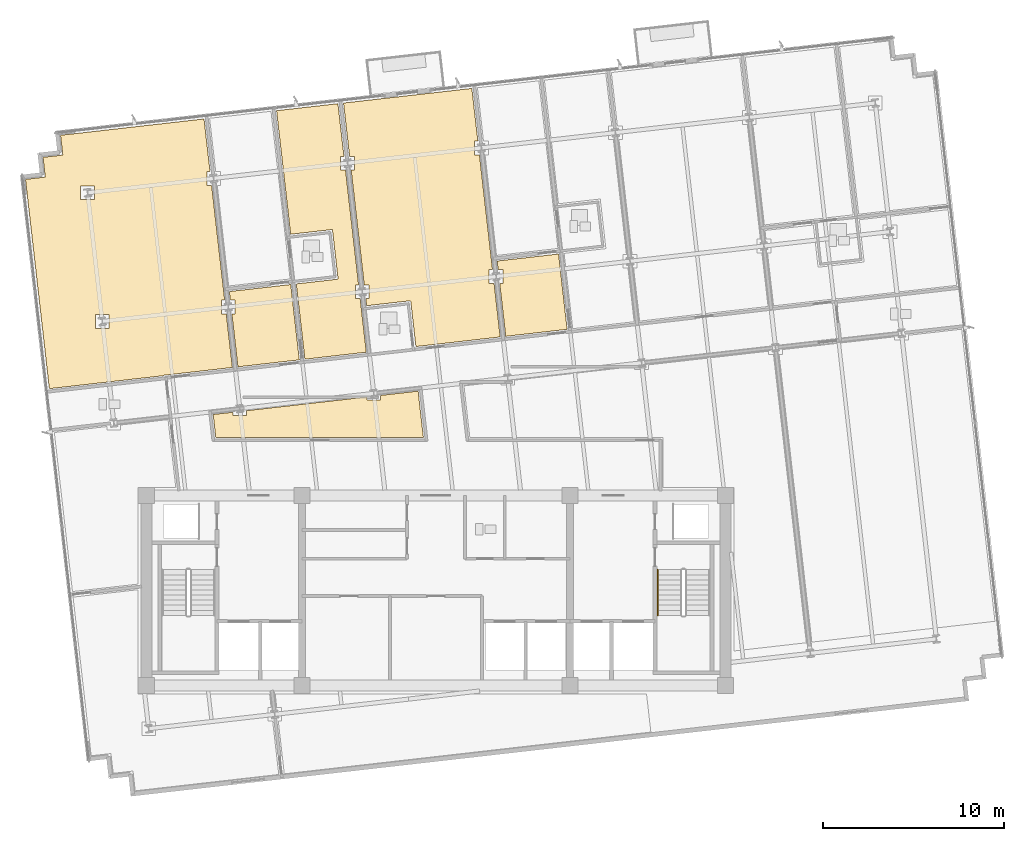
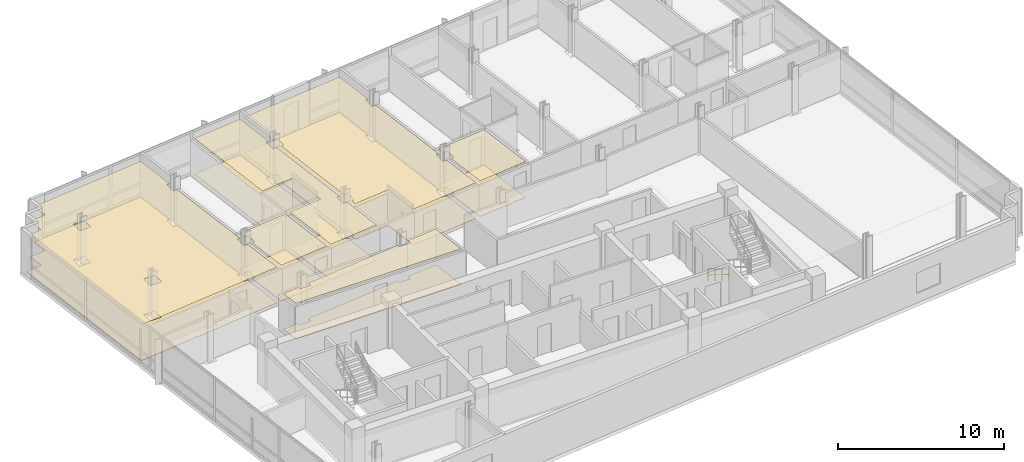
# One storey, part 13 of 16: 12 coverings, 1 railing.
"""IFC4 building model written with IfcOpenShell, lengths in metres."""

from ifc_helpers import new_model, si_unit, direction, frame, origin, origin_2d, place, context, subcontext, project, spatial, polyline, circle, outline, extrude, material, layer, layer_set, type_object, element, save


model = new_model("IFC4")

# Units and contexts
model_context = context("Model", 3, precision=1e-05, world=origin(), true_north=direction((0.0, 1.0)))
body_context = subcontext(model_context, "Body", "Model", "MODEL_VIEW")
ifc_project = project(units=[si_unit("LENGTHUNIT", "METRE"), si_unit("AREAUNIT", "SQUARE_METRE"), si_unit("VOLUMEUNIT", "CUBIC_METRE"), si_unit("PLANEANGLEUNIT", "RADIAN"), si_unit("MASSUNIT", "GRAM", prefix="KILO")], contexts=[model_context])

# Site, building, storey
site_placement = place(None, origin())
site = spatial("IfcSite", under=ifc_project, at=site_placement, CompositionType="ELEMENT")
building_placement = place(site_placement, origin())
building = spatial("IfcBuilding", under=site, at=building_placement, Name="Solmavex Isthmus Hotel", CompositionType="ELEMENT")
storey_placement = place(building_placement, frame((0.0, 0.0, 208.949951171875)))
storey = spatial("IfcBuildingStorey", under=building, at=storey_placement, Name="L56", CompositionType="ELEMENT", Elevation=208.949951171875)

# Coverings
ifc_material_1 = material(Name="Gypsum plasterboard lining", Category="gypsum")
ifc_layer_1 = layer(ifc_material_1, 0.030029296875)
ifc_layer_set_1 = layer_set([ifc_layer_1], Name="Gypsum plasterboard lining")
covering_type_1 = type_object("IfcCoveringType", Name="COV-CEIL-GYP", PredefinedType="CEILING", material=ifc_layer_set_1)
covering_1_placement = place(storey_placement, frame((0.0, 0.0, 2.6201171875)))
element("IfcCovering", 1, at=covering_1_placement, inside=storey, type_object=covering_type_1, Name="Suspended Acoustic Ceiling L56-RM01", PredefinedType="CEILING", context=body_context, shape_type="SweptSolid", body=[
    extrude(outline(polyline([(-15.079833984375, 4.11669921875), (-15.08203125, 4.136474609375), (-11.2490234375, 4.5732421875), (-11.586181640625, 7.532470703125), (-11.853271484375, 7.532470703125), (-11.853271484375, 8.29248046875), (-11.672607421875, 8.29248046875), (-12.395751953125, 14.638427734375), (-12.6630859375, 14.638427734375), (-12.6630859375, 15.3984375), (-12.482421875, 15.3984375), (-12.8134765625, 18.304443359375), (-19.92041015625, 17.49462890625), (-20.740234375, 17.4013671875), (-20.615478515625, 16.308349609375), (-21.70849609375, 16.183837890625), (-21.583984375, 15.091064453125), (-22.677001953125, 14.966552734375), (-22.58349609375, 14.146728515625), (-21.359130859375, 3.4013671875), (-15.079833984375, 4.11669921875)]), holes=[polyline([(-18.81640625, 6.739013671875), (-18.81640625, 7.4990234375), (-18.056396484375, 7.4990234375), (-18.056396484375, 6.739013671875), (-18.81640625, 6.739013671875)]), polyline([(-19.6259765625, 13.844970703125), (-19.6259765625, 14.60498046875), (-18.865966796875, 14.60498046875), (-18.865966796875, 13.844970703125), (-19.6259765625, 13.844970703125)])]), origin(), (0.0, 0.0, 1.0), 0.030029296875),
])
covering_2_placement = place(storey_placement, frame((0.0, 0.0, 2.6201171875)))
element("IfcCovering", 2, at=covering_2_placement, inside=storey, type_object=covering_type_1, Name="Suspended Acoustic Ceiling L56-SL02-FY", PredefinedType="CEILING", context=body_context, shape_type="SweptSolid", body=[
    extrude(outline(polyline([(-11.360595703125, 8.29248046875), (-11.09326171875, 8.29248046875), (-11.09326171875, 7.532470703125), (-11.274169921875, 7.532470703125), (-10.94091796875, 4.6083984375), (-7.5498046875, 4.994873046875), (-8.02392578125, 9.15576171875), (-11.4150390625, 8.76953125), (-11.360595703125, 8.29248046875)])), origin(), (0.0, 0.0, 1.0), 0.030029296875),
])
covering_3_placement = place(storey_placement, frame((0.0, 0.0, 2.6201171875)))
element("IfcCovering", 3, at=covering_3_placement, inside=storey, type_object=covering_type_1, Name="Suspended Acoustic Ceiling L56-SV02", PredefinedType="CEILING", context=body_context, shape_type="SweptSolid", body=[
    extrude(outline(polyline([(-4.99755859375, 15.481201171875), (-5.264892578125, 15.481201171875), (-5.264892578125, 16.2412109375), (-5.084228515625, 16.2412109375), (-5.415283203125, 19.1474609375), (-8.806396484375, 18.760986328125), (-8.0283203125, 11.93310546875), (-5.72021484375, 12.1962890625), (-5.407958984375, 9.453857421875), (-7.716064453125, 9.19091796875), (-7.241943359375, 5.02978515625), (-3.850830078125, 5.416259765625), (-4.18798828125, 8.375244140625), (-4.455322265625, 8.375244140625), (-4.455322265625, 9.13525390625), (-4.2744140625, 9.13525390625), (-4.99755859375, 15.481201171875)])), origin(), (0.0, 0.0, 1.0), 0.030029296875),
])
covering_4_placement = place(storey_placement, frame((0.0, 0.0, 2.6201171875)))
element("IfcCovering", 4, at=covering_4_placement, inside=storey, type_object=covering_type_1, Name="Suspended Acoustic Ceiling L56-RM03", PredefinedType="CEILING", context=body_context, shape_type="SweptSolid", body=[
    extrude(outline(polyline([(-3.962646484375, 9.13525390625), (-3.6953125, 9.13525390625), (-3.6953125, 8.375244140625), (-3.8759765625, 8.375244140625), (-3.83154296875, 7.98486328125), (-1.397216796875, 8.26220703125), (-1.108642578125, 5.728759765625), (3.54736328125, 6.259033203125), (3.210205078125, 9.21826171875), (2.94287109375, 9.21826171875), (2.94287109375, 9.978271484375), (3.12353515625, 9.978271484375), (2.400634765625, 16.32421875), (2.13330078125, 16.32421875), (2.13330078125, 17.084228515625), (2.31396484375, 17.084228515625), (1.98291015625, 19.990234375), (-5.107177734375, 19.182373046875), (-4.772216796875, 16.2412109375), (-4.5048828125, 16.2412109375), (-4.5048828125, 15.481201171875), (-4.685546875, 15.481201171875), (-3.962646484375, 9.13525390625)])), origin(), (0.0, 0.0, 1.0), 0.030029296875),
])
covering_5_placement = place(storey_placement, frame((0.0, 0.0, 2.6201171875)))
element("IfcCovering", 5, at=covering_5_placement, inside=storey, type_object=covering_type_1, Name="Suspended Acoustic Ceiling L56-SL04-FY", PredefinedType="CEILING", context=body_context, shape_type="SweptSolid", body=[
    extrude(outline(polyline([(3.435546875, 9.978271484375), (3.702880859375, 9.978271484375), (3.702880859375, 9.21826171875), (3.522216796875, 9.21826171875), (3.855224609375, 6.294189453125), (7.246337890625, 6.6806640625), (6.772216796875, 10.841552734375), (3.38134765625, 10.455322265625), (3.435546875, 9.978271484375)])), origin(), (0.0, 0.0, 1.0), 0.030029296875),
])
covering_6_placement = place(storey_placement, frame((0.0, 0.0, 2.6201171875)))
element("IfcCovering", 6, at=covering_6_placement, inside=storey, type_object=covering_type_1, Name="Suspended Acoustic Ceiling L56-FL09", PredefinedType="CEILING", context=body_context, shape_type="SweptSolid", body=[
    extrude(outline(polyline([(-10.4541015625, 2.18798828125), (-10.4541015625, 1.920654296875), (-11.214111328125, 1.920654296875), (-11.214111328125, 2.101318359375), (-12.309814453125, 1.9765625), (-12.1650390625, 0.705078125), (-0.694091796875, 0.705078125), (-0.986083984375, 3.2666015625), (-3.055908203125, 3.03076171875), (-3.055908203125, 2.763671875), (-3.81591796875, 2.763671875), (-3.81591796875, 2.9443359375), (-10.4541015625, 2.18798828125)])), origin(), (0.0, 0.0, 1.0), 0.030029296875),
])
ifc_material_2 = material(Name="Travertine natural stone", Category="masonry")
ifc_layer_2 = layer(ifc_material_2, 0.02490234375)
ifc_layer_set_2 = layer_set([ifc_layer_2], Name="Travertine natural stone")
covering_type_2 = type_object("IfcCoveringType", Name="COV-FLOR-STN", PredefinedType="FLOORING", material=ifc_layer_set_2)
covering_7_placement = place(storey_placement, origin())
element("IfcCovering", 7, at=covering_7_placement, inside=storey, type_object=covering_type_2, Name="Stone and Timber Floor Finish L56-RM01", PredefinedType="FLOORING", context=body_context, shape_type="SweptSolid", body=[
    extrude(outline(polyline([(-15.079833984375, 4.11669921875), (-15.08203125, 4.136474609375), (-11.2490234375, 4.5732421875), (-11.586181640625, 7.532470703125), (-11.853271484375, 7.532470703125), (-11.853271484375, 8.29248046875), (-11.672607421875, 8.29248046875), (-12.395751953125, 14.638427734375), (-12.6630859375, 14.638427734375), (-12.6630859375, 15.3984375), (-12.482421875, 15.3984375), (-12.8134765625, 18.304443359375), (-19.92041015625, 17.49462890625), (-20.740234375, 17.4013671875), (-20.615478515625, 16.308349609375), (-21.70849609375, 16.183837890625), (-21.583984375, 15.091064453125), (-22.677001953125, 14.966552734375), (-22.58349609375, 14.146728515625), (-21.359130859375, 3.4013671875), (-15.079833984375, 4.11669921875)]), holes=[polyline([(-18.81640625, 6.739013671875), (-18.81640625, 7.4990234375), (-18.056396484375, 7.4990234375), (-18.056396484375, 6.739013671875), (-18.81640625, 6.739013671875)]), polyline([(-19.6259765625, 13.844970703125), (-19.6259765625, 14.60498046875), (-18.865966796875, 14.60498046875), (-18.865966796875, 13.844970703125), (-19.6259765625, 13.844970703125)])]), origin(), (0.0, 0.0, 1.0), 0.025146484375),
])
covering_8_placement = place(storey_placement, origin())
element("IfcCovering", 8, at=covering_8_placement, inside=storey, type_object=covering_type_2, Name="Stone and Timber Floor Finish L56-SL02-FY", PredefinedType="FLOORING", context=body_context, shape_type="SweptSolid", body=[
    extrude(outline(polyline([(-11.360595703125, 8.29248046875), (-11.09326171875, 8.29248046875), (-11.09326171875, 7.532470703125), (-11.274169921875, 7.532470703125), (-10.94091796875, 4.6083984375), (-7.5498046875, 4.994873046875), (-8.02392578125, 9.15576171875), (-11.4150390625, 8.76953125), (-11.360595703125, 8.29248046875)])), origin(), (0.0, 0.0, 1.0), 0.025146484375),
])
covering_9_placement = place(storey_placement, origin())
element("IfcCovering", 9, at=covering_9_placement, inside=storey, type_object=covering_type_2, Name="Stone and Timber Floor Finish L56-SV02", PredefinedType="FLOORING", context=body_context, shape_type="SweptSolid", body=[
    extrude(outline(polyline([(-4.99755859375, 15.481201171875), (-5.264892578125, 15.481201171875), (-5.264892578125, 16.2412109375), (-5.084228515625, 16.2412109375), (-5.415283203125, 19.1474609375), (-8.806396484375, 18.760986328125), (-8.0283203125, 11.93310546875), (-5.72021484375, 12.1962890625), (-5.407958984375, 9.453857421875), (-7.716064453125, 9.19091796875), (-7.241943359375, 5.02978515625), (-3.850830078125, 5.416259765625), (-4.18798828125, 8.375244140625), (-4.455322265625, 8.375244140625), (-4.455322265625, 9.13525390625), (-4.2744140625, 9.13525390625), (-4.99755859375, 15.481201171875)])), origin(), (0.0, 0.0, 1.0), 0.025146484375),
])
covering_10_placement = place(storey_placement, origin())
element("IfcCovering", 10, at=covering_10_placement, inside=storey, type_object=covering_type_2, Name="Stone and Timber Floor Finish L56-RM03", PredefinedType="FLOORING", context=body_context, shape_type="SweptSolid", body=[
    extrude(outline(polyline([(-3.962646484375, 9.13525390625), (-3.6953125, 9.13525390625), (-3.6953125, 8.375244140625), (-3.8759765625, 8.375244140625), (-3.83154296875, 7.98486328125), (-1.397216796875, 8.26220703125), (-1.108642578125, 5.728759765625), (3.54736328125, 6.259033203125), (3.210205078125, 9.21826171875), (2.94287109375, 9.21826171875), (2.94287109375, 9.978271484375), (3.12353515625, 9.978271484375), (2.400634765625, 16.32421875), (2.13330078125, 16.32421875), (2.13330078125, 17.084228515625), (2.31396484375, 17.084228515625), (1.98291015625, 19.990234375), (-5.107177734375, 19.182373046875), (-4.772216796875, 16.2412109375), (-4.5048828125, 16.2412109375), (-4.5048828125, 15.481201171875), (-4.685546875, 15.481201171875), (-3.962646484375, 9.13525390625)])), origin(), (0.0, 0.0, 1.0), 0.025146484375),
])
covering_11_placement = place(storey_placement, origin())
element("IfcCovering", 11, at=covering_11_placement, inside=storey, type_object=covering_type_2, Name="Stone and Timber Floor Finish L56-SL04-FY", PredefinedType="FLOORING", context=body_context, shape_type="SweptSolid", body=[
    extrude(outline(polyline([(3.435546875, 9.978271484375), (3.702880859375, 9.978271484375), (3.702880859375, 9.21826171875), (3.522216796875, 9.21826171875), (3.855224609375, 6.294189453125), (7.246337890625, 6.6806640625), (6.772216796875, 10.841552734375), (3.38134765625, 10.455322265625), (3.435546875, 9.978271484375)])), origin(), (0.0, 0.0, 1.0), 0.025146484375),
])
covering_12_placement = place(storey_placement, origin())
element("IfcCovering", 12, at=covering_12_placement, inside=storey, type_object=covering_type_2, Name="Stone and Timber Floor Finish L56-FL09", PredefinedType="FLOORING", context=body_context, shape_type="SweptSolid", body=[
    extrude(outline(polyline([(-10.4541015625, 2.18798828125), (-10.4541015625, 1.920654296875), (-11.214111328125, 1.920654296875), (-11.214111328125, 2.101318359375), (-12.309814453125, 1.9765625), (-12.1650390625, 0.705078125), (-0.694091796875, 0.705078125), (-0.986083984375, 3.2666015625), (-3.055908203125, 3.03076171875), (-3.055908203125, 2.763671875), (-3.81591796875, 2.763671875), (-3.81591796875, 2.9443359375), (-10.4541015625, 2.18798828125)])), origin(), (0.0, 0.0, 1.0), 0.025146484375),
])

# Railing
ifc_material_3 = material(Name="Stainless steel 316", Category="steel")
ifc_layer_3 = layer(ifc_material_3, 0.050048828125)
ifc_layer_set_3 = layer_set([ifc_layer_3], Name="Stainless steel 316")
railing_type = type_object("IfcRailingType", Name="RAIL-STAIR-HR", PredefinedType="HANDRAIL", material=ifc_layer_set_3)
railing_placement = place(storey_placement, frame((12.25, -6.60009765625, 0.172607421875)))
element("IfcRailing", 13, at=railing_placement, inside=storey, type_object=railing_type, Name="L56 ST-2 stair handrail 1", PredefinedType="HANDRAIL", context=body_context, shape_type="SweptSolid", body=[
    extrude(circle(Radius=0.02392578125, at=origin_2d()), frame((0.0, 0.0, 0.8759765625), z_axis=(0.0, -0.851400495292, 0.524516154772), x_axis=(1.0, 0.0, 0.0)), (0.0, 0.0, 1.0), 2.9599609375),
    extrude(circle(Radius=0.02392578125, at=origin_2d()), frame((0.0, 0.0, 0.449951171875), z_axis=(0.0, -0.851400495292, 0.524516154772), x_axis=(1.0, 0.0, 0.0)), (0.0, 0.0, 1.0), 2.9599609375),
    extrude(circle(Radius=0.02099609375, at=origin_2d()), origin(), (0.0, 0.0, 1.0), 0.851806640625),
    extrude(circle(Radius=0.02099609375, at=origin_2d()), frame((0.0, -0.840087890625, 0.517578125)), (0.0, 0.0, 1.0), 0.851806640625),
    extrude(circle(Radius=0.02099609375, at=origin_2d()), frame((0.0, -1.679931640625, 1.034912109375)), (0.0, 0.0, 1.0), 0.851806640625),
    extrude(circle(Radius=0.02099609375, at=origin_2d()), frame((0.0, -2.52001953125, 1.552490234375)), (0.0, 0.0, 1.0), 0.851806640625),
])

save(model, "model.ifc")
